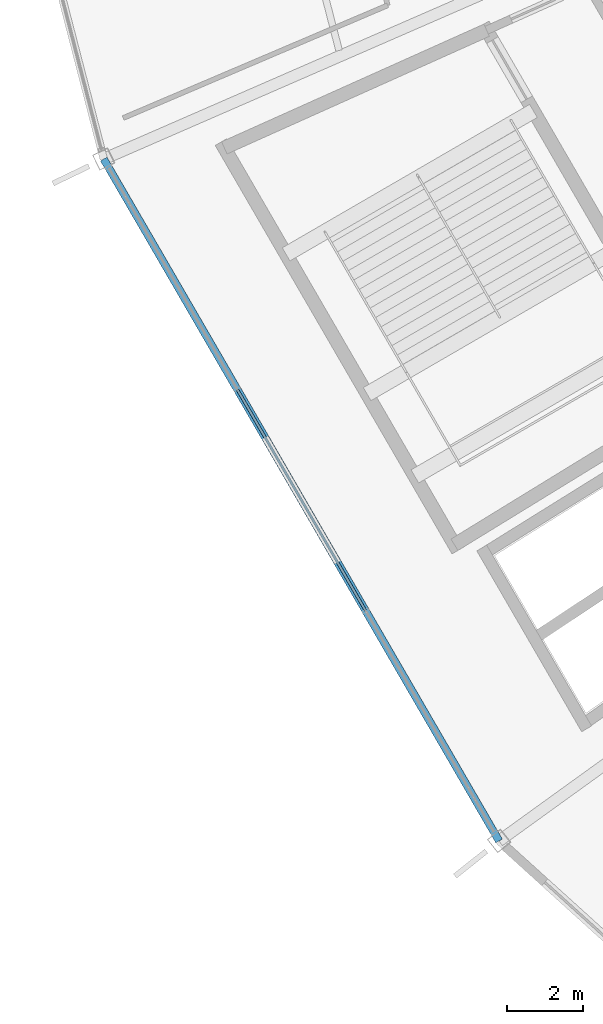
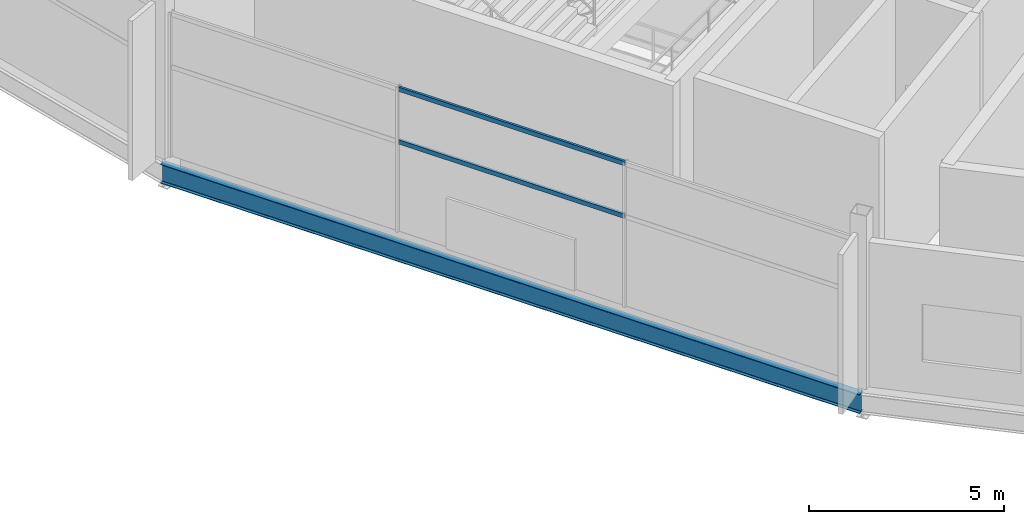
# One storey, part 20 of 186: 2 members, 1 beam, 1 element without a shape of its own.
"""IFC4 building model written with IfcOpenShell, lengths in metres."""

from ifc_helpers import new_model, si_unit, direction, frame, origin, origin_2d, place, context, subcontext, project, spatial, hollow_rectangle, i_section, extrude, material, layer, layer_set, material_profile, profile_set, type_object, element, aggregate, save


model = new_model("IFC4")

# Units and contexts
model_context = context("Model", 3, precision=1e-05, world=origin(), true_north=direction((0.0, 1.0)))
body_context = subcontext(model_context, "Body", "Model", "MODEL_VIEW")
ifc_project = project(units=[si_unit("LENGTHUNIT", "METRE"), si_unit("AREAUNIT", "SQUARE_METRE"), si_unit("VOLUMEUNIT", "CUBIC_METRE"), si_unit("PLANEANGLEUNIT", "RADIAN"), si_unit("MASSUNIT", "GRAM", prefix="KILO")], contexts=[model_context])

# Site, building, storey
site_placement = place(None, origin())
site = spatial("IfcSite", under=ifc_project, at=site_placement, CompositionType="ELEMENT")
building_placement = place(site_placement, origin())
building = spatial("IfcBuilding", under=site, at=building_placement, Name="Kazemori Nagisa Stadium", CompositionType="ELEMENT")
storey_placement = place(building_placement, frame((0.0, 0.0, 20.39990234375)))
storey = spatial("IfcBuildingStorey", under=building, at=storey_placement, Name="L04", CompositionType="ELEMENT", Elevation=20.39990234375)

# Beam
ifc_material_1 = material(Name="Steel SN490B", Category="steel")
ifc_material_profile_1 = material_profile(ifc_material_1, i_section(OverallWidth=0.199951171875, OverallDepth=0.60009765625, WebThickness=0.010986328125, FlangeThickness=0.01708984375, FilletRadius=0.012939453125, at=origin_2d()), Name="H-600x200x11x17")
ifc_profile_set_1 = profile_set([ifc_material_profile_1], Name="Steel SN490B")
beam_type = type_object("IfcBeamType", Name="Beam_BS-H600", PredefinedType="SPANDREL", material=ifc_profile_set_1)
beam_placement = place(storey_placement, frame((34.114990234375, 63.25048828125, -0.599853515625), z_axis=(0.50161277459, -0.8650922635, 0.0), x_axis=(0.8650922635, 0.50161277459, 0.0)))
element("IfcBeam", 1, at=beam_placement, inside=storey, type_object=beam_type, Name="Ring girder BS-H600 L04 R3-17", PredefinedType="SPANDREL", context=body_context, shape_type="SweptSolid", body=[
    extrude(i_section(OverallWidth=0.199951171875, OverallDepth=0.60009765625, WebThickness=0.010986328125, FlangeThickness=0.01708984375, FilletRadius=0.012939453125, at=origin_2d()), origin(), (0.0, 0.0, 1.0), 20.71240234375),
])

# Curtain wall, members
ifc_material_2 = material(Name="Anodised aluminium 6063-T5", Category="aluminium")
ifc_layer = layer(ifc_material_2, 0.179931640625, Name="Anodised aluminium 6063-T5", Category="aluminium")
ifc_layer_set = layer_set([ifc_layer], Name="Anodised aluminium 6063-T5")
curtain_wall_type = type_object("IfcCurtainWallType", Name="CW_L04R3_101", PredefinedType="USERDEFINED", material=ifc_layer_set)
curtain_wall_placement = place(storey_placement, origin())
curtain_wall = element("IfcCurtainWall", 2, at=curtain_wall_placement, inside=storey, type_object=curtain_wall_type, Name="Unitised curtain wall CW-L04R3-101 L04", ObjectType="UNITISED CURTAIN WALL", PredefinedType="USERDEFINED")
ifc_material_3 = material(Name="Aluminium 6063-T5 anodised", Category="aluminium")
ifc_material_profile_2 = material_profile(ifc_material_3, hollow_rectangle(XDim=0.070068359375, YDim=0.139892578125, WallThickness=0.00390625, at=origin_2d()), Name="ALU-TRAN-70x140x4")
ifc_profile_set_2 = profile_set([ifc_material_profile_2], Name="Aluminium 6063-T5 anodised")
member_type = type_object("IfcMemberType", Name="Transom_T01", PredefinedType="USERDEFINED", material=ifc_profile_set_2)
member_1_placement = place(storey_placement, frame((37.630859375, 57.18701171875, 2.80859375), z_axis=(0.50161984125, -0.865088165948, 0.0), x_axis=(0.865088165948, 0.50161984125, 0.0)))
member_1 = element("IfcMember", 3, at=member_1_placement, type_object=member_type, Name="Curtain wall transom CW-L04R3-101-T2-mid", ObjectType="TRANSOM", PredefinedType="USERDEFINED", context=body_context, shape_type="SweptSolid", body=[
    extrude(hollow_rectangle(XDim=0.070068359375, YDim=0.139892578125, WallThickness=0.00390625, at=origin_2d()), origin(), (0.0, 0.0, 1.0), 6.694091796875),
])
member_2_placement = place(storey_placement, frame((37.630859375, 57.18701171875, 4.460205078125), z_axis=(0.50161984125, -0.865088165948, 0.0), x_axis=(0.865088165948, 0.50161984125, 0.0)))
member_2 = element("IfcMember", 4, at=member_2_placement, type_object=member_type, Name="Curtain wall transom CW-L04R3-101-T2-head", ObjectType="TRANSOM", PredefinedType="USERDEFINED", context=body_context, shape_type="SweptSolid", body=[
    extrude(hollow_rectangle(XDim=0.070068359375, YDim=0.139892578125, WallThickness=0.00390625, at=origin_2d()), origin(), (0.0, 0.0, 1.0), 6.694091796875),
])
aggregate(curtain_wall, [member_1, member_2])

save(model, "model.ifc")
